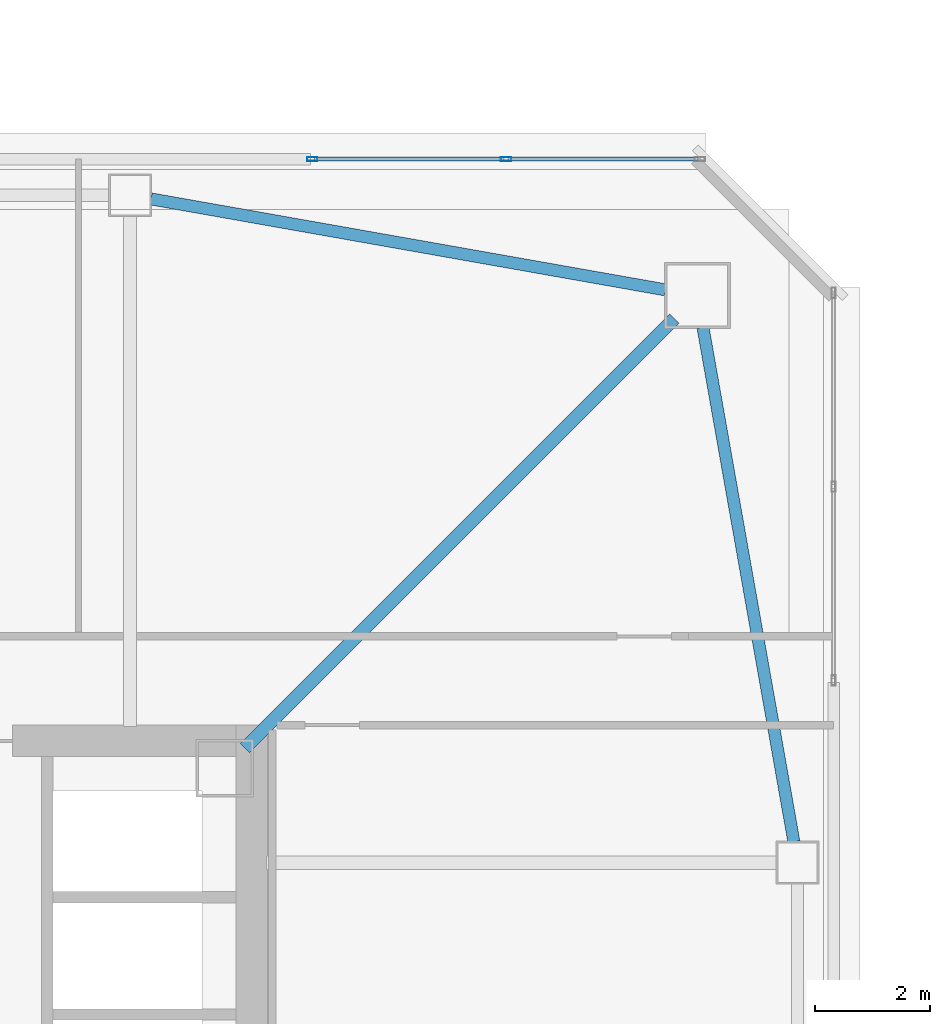
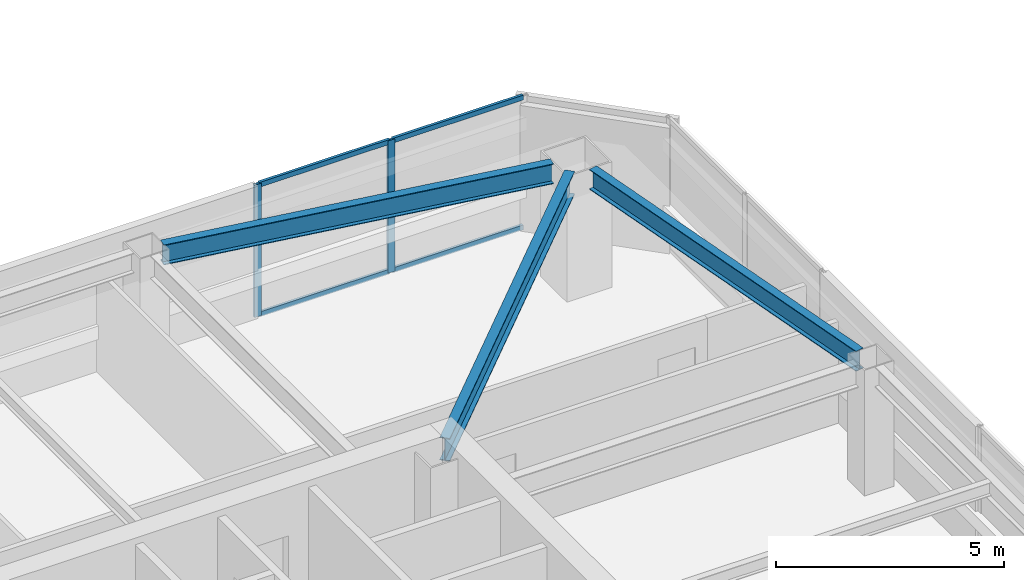
# One storey, part 16 of 44: 6 members, 3 beams, 1 element without a shape of its own.
"""IFC4 building model written with IfcOpenShell, lengths in metres."""

from ifc_helpers import new_model, si_unit, direction, frame, origin, origin_2d, place, context, subcontext, project, spatial, hollow_rectangle, i_section, extrude, material, material_profile, profile_set, type_object, element, aggregate, save


model = new_model("IFC4")

# Units and contexts
model_context = context("Model", 3, precision=1e-05, world=origin(), true_north=direction((0.0, 1.0)))
body_context = subcontext(model_context, "Body", "Model", "MODEL_VIEW")
ifc_project = project(units=[si_unit("LENGTHUNIT", "METRE"), si_unit("AREAUNIT", "SQUARE_METRE"), si_unit("VOLUMEUNIT", "CUBIC_METRE"), si_unit("PLANEANGLEUNIT", "RADIAN"), si_unit("MASSUNIT", "GRAM", prefix="KILO")], contexts=[model_context])

# Site, building, storey
site_placement = place(None, origin())
site = spatial("IfcSite", under=ifc_project, at=site_placement, CompositionType="ELEMENT")
building_placement = place(site_placement, origin())
building = spatial("IfcBuilding", under=site, at=building_placement, Name="Tashvorn Skyway Center", CompositionType="ELEMENT")
storey_placement = place(building_placement, frame((0.0, 0.0, 181.85009765625)))
storey = spatial("IfcBuildingStorey", under=building, at=storey_placement, Name="L49", CompositionType="ELEMENT", Elevation=181.85009765625)

# Beams
ifc_material_1 = material(Name="Steel ASTM A992 Grade 50", Category="steel")
ifc_material_profile_1 = material_profile(ifc_material_1, i_section(OverallWidth=0.22998046875, OverallDepth=0.616943359375, WebThickness=0.01318359375, FlangeThickness=0.022216796875, at=origin_2d()), Name="W24X94")
ifc_profile_set_1 = profile_set([ifc_material_profile_1], Name="Steel ASTM A992 Grade 50")
beam_type_1 = type_object("IfcBeamType", Name="BM-BEAM-W24X94", PredefinedType="BEAM", material=ifc_profile_set_1)
beam_placement = place(storey_placement, frame((56.89697265625, 46.89697265625, 3.0615234375), z_axis=(-0.707106781187, -0.707106781187, 0.0), x_axis=(0.707106781187, -0.707106781187, 0.0)))
element("IfcBeam", 1, at=beam_placement, inside=storey, type_object=beam_type_1, Name="Tower 1 L49 Primary Floor Girder MC-NE", PredefinedType="BEAM", context=body_context, shape_type="SweptSolid", body=[
    extrude(i_section(OverallWidth=0.22998046875, OverallDepth=0.616943359375, WebThickness=0.01318359375, FlangeThickness=0.022216796875, at=origin_2d()), origin(), (0.0, 0.0, 1.0), 10.6025390625),
])
ifc_material_profile_2 = material_profile(ifc_material_1, i_section(OverallWidth=0.2109375, OverallDepth=0.5390625, WebThickness=0.01171875, FlangeThickness=0.018798828125, at=origin_2d()), Name="W21X73")
ifc_profile_set_2 = profile_set([ifc_material_profile_2], Name="Steel ASTM A992 Grade 50")
beam_type_2 = type_object("IfcBeamType", Name="BM-SPANDREL-W21X73", PredefinedType="SPANDREL", material=ifc_profile_set_2)
for number, where, z_axis, x_axis, name in (
    (2, (58.985595703125, 37.764404296875, 3.100341796875), (-0.174074160933, 0.984732545667, 0.0), (-0.984732545667, -0.174074160933, 0.0), "Tower 1 L49 Spandrel Beam 06"),
    (3, (56.73876953125, 47.399169921875, 3.100341796875), (-0.984732545667, 0.174074160933, 0.0), (-0.174074160933, -0.984732545667, 0.0), "Tower 1 L49 Spandrel Beam 07"),
):
    element("IfcBeam", number, at=place(storey_placement, frame(where, z_axis=z_axis, x_axis=x_axis)), inside=storey, type_object=beam_type_2, Name=name, PredefinedType="SPANDREL", context=body_context, shape_type="SweptSolid", body=[
        extrude(i_section(OverallWidth=0.2109375, OverallDepth=0.5390625, WebThickness=0.01171875, FlangeThickness=0.018798828125, at=origin_2d()), origin(), (0.0, 0.0, 1.0), 9.113525390625),
    ])

# Curtain wall, members
ifc_material_2 = material(Name="Thermally broken bronze-anodized aluminium 6063-T6", Category="aluminium")
curtain_wall_type = type_object("IfcCurtainWallType", Name="CW-CW-Z4", PredefinedType="NOTDEFINED", material=ifc_material_2)
curtain_wall_placement = place(storey_placement, origin())
curtain_wall = element("IfcCurtainWall", 4, at=curtain_wall_placement, inside=storey, type_object=curtain_wall_type, Name="Tower 1 L49 North Unitised Curtain Wall Glazing Group 3", PredefinedType="NOTDEFINED")
ifc_material_profile_3 = material_profile(ifc_material_2, hollow_rectangle(XDim=0.070068359375, YDim=0.179931640625, WallThickness=0.00390625, at=origin_2d()), Name="ALU-MULL-70x180")
ifc_profile_set_3 = profile_set([ifc_material_profile_3], Name="Thermally broken bronze-anodized aluminium 6063-T6")
member_type_1 = type_object("IfcMemberType", Name="CWM-CW-Z4", PredefinedType="MULLION", material=ifc_profile_set_3)
member_1_placement = place(storey_placement, frame((50.579345703125, 49.679931640625, 0.0), z_axis=(0.0, 0.0, 1.0), x_axis=(0.0, 1.0, 0.0)))
member_1 = element("IfcMember", 5, at=member_1_placement, type_object=member_type_1, Name="CW-Z4 mullion 1", PredefinedType="MULLION", context=body_context, shape_type="SweptSolid", body=[
    extrude(hollow_rectangle(XDim=0.070068359375, YDim=0.179931640625, WallThickness=0.00390625, at=origin_2d()), origin(), (0.0, 0.0, 1.0), 3.5498046875),
])
member_2_placement = place(storey_placement, frame((53.962158203125, 49.679931640625, 0.0), z_axis=(0.0, 0.0, 1.0), x_axis=(0.0, 1.0, 0.0)))
member_2 = element("IfcMember", 6, at=member_2_placement, type_object=member_type_1, Name="CW-Z4 mullion 2", PredefinedType="MULLION", context=body_context, shape_type="SweptSolid", body=[
    extrude(hollow_rectangle(XDim=0.070068359375, YDim=0.179931640625, WallThickness=0.00390625, at=origin_2d()), origin(), (0.0, 0.0, 1.0), 3.5498046875),
])
ifc_material_profile_4 = material_profile(ifc_material_2, hollow_rectangle(XDim=0.070068359375, YDim=0.1298828125, WallThickness=0.00390625, at=origin_2d()), Name="ALU-TRAN-70x130")
ifc_profile_set_4 = profile_set([ifc_material_profile_4], Name="Thermally broken bronze-anodized aluminium 6063-T6")
member_type_2 = type_object("IfcMemberType", Name="CWT-CW-Z4", PredefinedType="USERDEFINED", material=ifc_profile_set_4)
member_3_placement = place(storey_placement, frame((50.614501953125, 49.679931640625, 0.034912109375), z_axis=(1.0, 0.0, 0.0), x_axis=(0.0, 1.0, 0.0)))
member_3 = element("IfcMember", 7, at=member_3_placement, type_object=member_type_2, Name="CW-Z4 transom 1.1", ObjectType="TRANSOM", PredefinedType="USERDEFINED", context=body_context, shape_type="SweptSolid", body=[
    extrude(hollow_rectangle(XDim=0.070068359375, YDim=0.1298828125, WallThickness=0.00390625, at=origin_2d()), origin(), (0.0, 0.0, 1.0), 3.312744140625),
])
member_4_placement = place(storey_placement, frame((50.614501953125, 49.679931640625, 3.514892578125), z_axis=(1.0, 0.0, 0.0), x_axis=(0.0, 1.0, 0.0)))
member_4 = element("IfcMember", 8, at=member_4_placement, type_object=member_type_2, Name="CW-Z4 transom 1.2", ObjectType="TRANSOM", PredefinedType="USERDEFINED", context=body_context, shape_type="SweptSolid", body=[
    extrude(hollow_rectangle(XDim=0.070068359375, YDim=0.1298828125, WallThickness=0.00390625, at=origin_2d()), origin(), (0.0, 0.0, 1.0), 3.312744140625),
])
member_5_placement = place(storey_placement, frame((53.997314453125, 49.679931640625, 0.034912109375), z_axis=(1.0, 0.0, 0.0), x_axis=(0.0, 1.0, 0.0)))
member_5 = element("IfcMember", 9, at=member_5_placement, type_object=member_type_2, Name="CW-Z4 transom 2.1", ObjectType="TRANSOM", PredefinedType="USERDEFINED", context=body_context, shape_type="SweptSolid", body=[
    extrude(hollow_rectangle(XDim=0.070068359375, YDim=0.1298828125, WallThickness=0.00390625, at=origin_2d()), origin(), (0.0, 0.0, 1.0), 3.312744140625),
])
member_6_placement = place(storey_placement, frame((53.997314453125, 49.679931640625, 3.514892578125), z_axis=(1.0, 0.0, 0.0), x_axis=(0.0, 1.0, 0.0)))
member_6 = element("IfcMember", 10, at=member_6_placement, type_object=member_type_2, Name="CW-Z4 transom 2.2", ObjectType="TRANSOM", PredefinedType="USERDEFINED", context=body_context, shape_type="SweptSolid", body=[
    extrude(hollow_rectangle(XDim=0.070068359375, YDim=0.1298828125, WallThickness=0.00390625, at=origin_2d()), origin(), (0.0, 0.0, 1.0), 3.312744140625),
])
aggregate(curtain_wall, [member_1, member_2, member_3, member_4, member_5, member_6])

save(model, "model.ifc")
